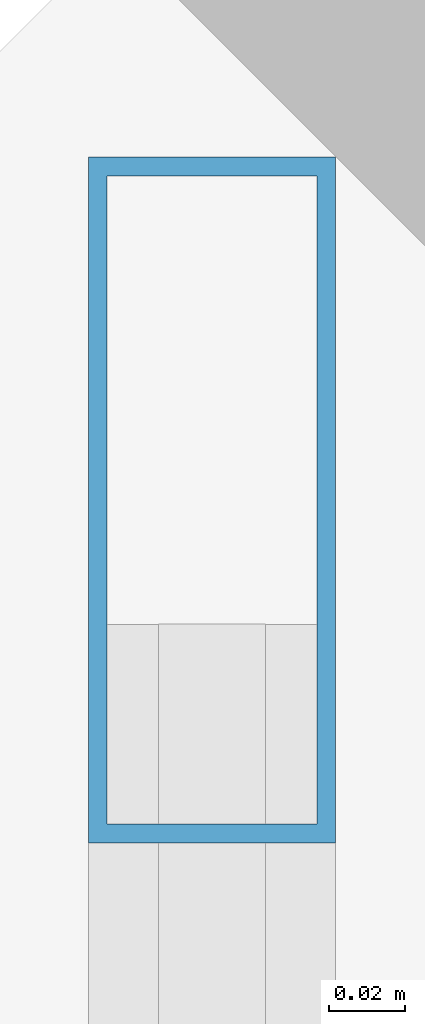
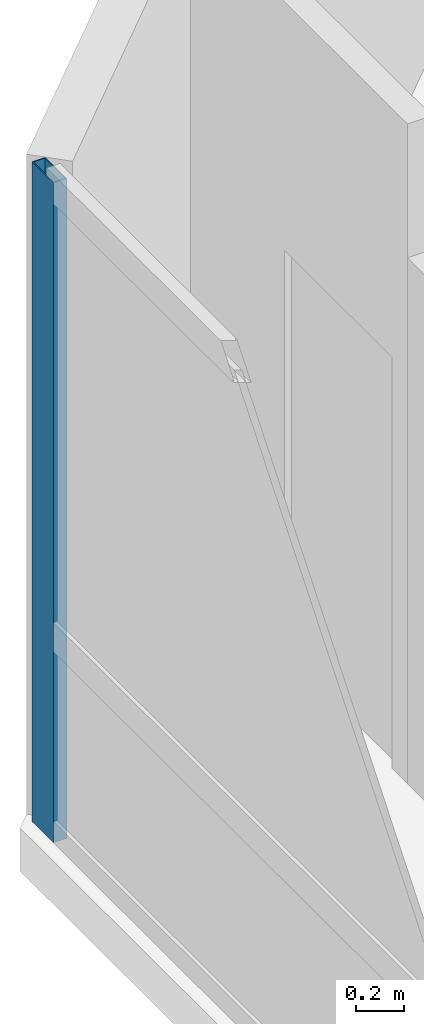
# One storey, part 6 of 20: 1 member, 1 element without a shape of its own.
"""IFC4 building model written with IfcOpenShell, lengths in metres."""

from ifc_helpers import new_model, si_unit, direction, frame, origin, origin_2d, place, context, subcontext, project, spatial, hollow_rectangle, extrude, material, material_profile, profile_set, type_object, element, aggregate, save


model = new_model("IFC4")

# Units and contexts
model_context = context("Model", 3, precision=1e-05, world=origin(), true_north=direction((0.0, 1.0)))
body_context = subcontext(model_context, "Body", "Model", "MODEL_VIEW")
ifc_project = project(units=[si_unit("LENGTHUNIT", "METRE"), si_unit("AREAUNIT", "SQUARE_METRE"), si_unit("VOLUMEUNIT", "CUBIC_METRE"), si_unit("PLANEANGLEUNIT", "RADIAN"), si_unit("MASSUNIT", "GRAM", prefix="KILO")], contexts=[model_context])

# Site, building, storey
site_placement = place(None, origin())
site = spatial("IfcSite", under=ifc_project, at=site_placement, CompositionType="ELEMENT")
building_placement = place(site_placement, origin())
building = spatial("IfcBuilding", under=site, at=building_placement, Name="Khamvora Tower", CompositionType="ELEMENT")
storey_placement = place(building_placement, frame((0.0, 0.0, 203.35009765625)))
storey = spatial("IfcBuildingStorey", under=building, at=storey_placement, Name="L52", CompositionType="ELEMENT", Elevation=203.35009765625)

# Curtain wall, member
ifc_material = material(Name="Anodised Aluminium 6063-T6", Category="aluminium")
curtain_wall_type = type_object("IfcCurtainWallType", Name="CW-SYS-04", PredefinedType="NOTDEFINED", material=ifc_material)
curtain_wall_placement = place(storey_placement, origin())
curtain_wall = element("IfcCurtainWall", 1, at=curtain_wall_placement, inside=storey, type_object=curtain_wall_type, Name="L52 stick curtain wall 05.1", PredefinedType="NOTDEFINED")
ifc_material_profile = material_profile(ifc_material, hollow_rectangle(XDim=0.06494140625, YDim=0.179931640625, WallThickness=0.0048828125, at=origin_2d()), Name="MUL65x180x5")
ifc_profile_set = profile_set([ifc_material_profile], Name="Anodised Aluminium 6063-T6")
member_type = type_object("IfcMemberType", Name="CW-SYS-04-MUL", PredefinedType="MULLION", material=ifc_profile_set)
member_placement = place(storey_placement, frame((14.89990234375, 42.526611328125, 0.0), z_axis=(0.0, 0.0, 1.0), x_axis=(-1.0, 0.0, 0.0)))
member = element("IfcMember", 2, at=member_placement, type_object=member_type, Name="CW-04 mullion 4", PredefinedType="MULLION", context=body_context, shape_type="SweptSolid", body=[
    extrude(hollow_rectangle(XDim=0.06494140625, YDim=0.179931640625, WallThickness=0.0048828125, at=origin_2d()), origin(), (0.0, 0.0, 1.0), 3.369873046875),
])
aggregate(curtain_wall, [member])

save(model, "model.ifc")
